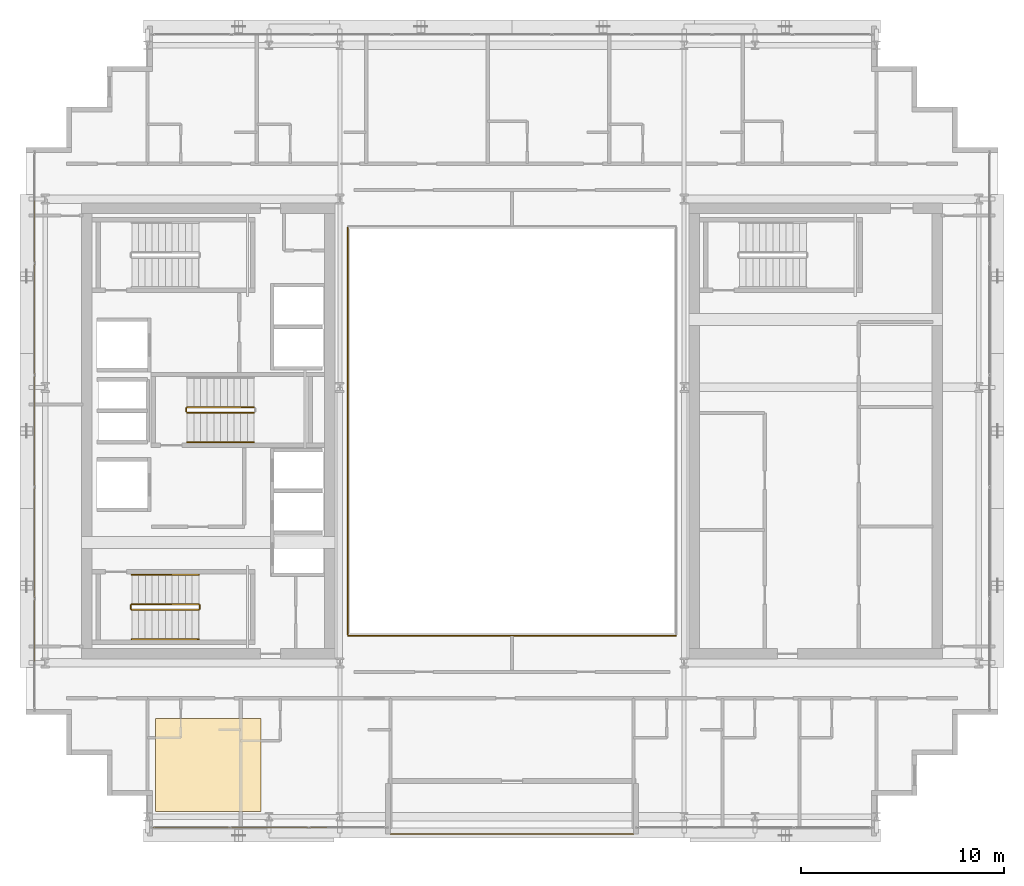
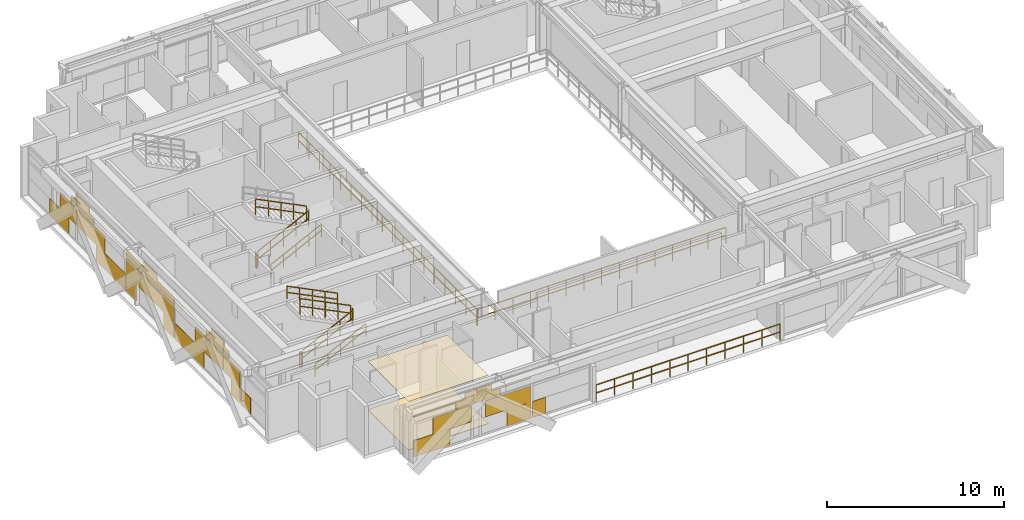
# One storey, part 28 of 31: 13 railings, 4 coverings.
"""IFC4 building model written with IfcOpenShell, lengths in metres."""

from ifc_helpers import new_model, si_unit, direction, frame, origin, origin_2d, place, context, subcontext, project, spatial, polyline, rectangle, outline, extrude, material, layer, layer_set, type_object, element, save


model = new_model("IFC4")

# Units and contexts
model_context = context("Model", 3, precision=1e-05, world=origin(), true_north=direction((0.0, 1.0)))
body_context = subcontext(model_context, "Body", "Model", "MODEL_VIEW")
ifc_project = project(units=[si_unit("LENGTHUNIT", "METRE"), si_unit("AREAUNIT", "SQUARE_METRE"), si_unit("VOLUMEUNIT", "CUBIC_METRE"), si_unit("PLANEANGLEUNIT", "RADIAN"), si_unit("MASSUNIT", "GRAM", prefix="KILO")], contexts=[model_context])

# Site, building, storey
site_placement = place(None, origin())
site = spatial("IfcSite", under=ifc_project, at=site_placement, CompositionType="ELEMENT")
building_placement = place(site_placement, origin())
building = spatial("IfcBuilding", under=site, at=building_placement, Name="Ocotamira Hotel", CompositionType="ELEMENT")
storey_placement = place(building_placement, frame((0.0, 0.0, 210.0)))
storey = spatial("IfcBuildingStorey", under=building, at=storey_placement, Name="L53", CompositionType="ELEMENT", Elevation=210.0)

# Coverings
ifc_material_1 = material(Name="Perforated acoustic gypsum ceiling board", Category="gypsum")
ifc_layer_1 = layer(ifc_material_1, 0.02490234375)
ifc_layer_set_1 = layer_set([ifc_layer_1], Name="Perforated acoustic gypsum ceiling board")
covering_type_1 = type_object("IfcCoveringType", Name="COV-CEIL-25", PredefinedType="CEILING", material=ifc_layer_set_1)
covering_1_placement = place(storey_placement, frame((0.0, 0.0, 3.344970703125)))
element("IfcCovering", 1, at=covering_1_placement, inside=storey, type_object=covering_type_1, Name="L53 Acoustic Ceiling", PredefinedType="CEILING", context=body_context, shape_type="SweptSolid", body=[
    extrude(outline(polyline([(14.39990234375, 7.199951171875), (19.60009765625, 7.199951171875), (19.60009765625, 11.800048828125), (14.39990234375, 11.800048828125), (14.39990234375, 7.199951171875)])), origin(), (0.0, 0.0, 1.0), 0.025146484375),
])
ifc_material_2 = material(Name="Honed desert travertine stone flooring", Category="masonry")
ifc_layer_2 = layer(ifc_material_2, 0.030029296875)
ifc_layer_set_2 = layer_set([ifc_layer_2], Name="Honed desert travertine stone flooring")
covering_type_2 = type_object("IfcCoveringType", Name="COV-FLOR-30", PredefinedType="FLOORING", material=ifc_layer_set_2)
covering_2_placement = place(storey_placement, origin())
element("IfcCovering", 2, at=covering_2_placement, inside=storey, type_object=covering_type_2, Name="L53 Honed Stone Floor Finish", PredefinedType="FLOORING", context=body_context, shape_type="SweptSolid", body=[
    extrude(outline(polyline([(14.39990234375, 7.199951171875), (19.60009765625, 7.199951171875), (19.60009765625, 11.800048828125), (14.39990234375, 11.800048828125), (14.39990234375, 7.199951171875)])), origin(), (0.0, 0.0, 1.0), 0.030029296875),
])
ifc_material_3 = material(Name="Insulated pale-metal aluminium spandrel panel", Category="aluminium")
ifc_layer_3 = layer(ifc_material_3, 0.044921875)
ifc_layer_set_3 = layer_set([ifc_layer_3], Name="Insulated pale-metal aluminium spandrel panel")
covering_type_3 = type_object("IfcCoveringType", Name="COV-INFILL-45", PredefinedType="CLADDING", material=ifc_layer_set_3)
covering_3_placement = place(storey_placement, origin())
element("IfcCovering", 3, at=covering_3_placement, inside=storey, type_object=covering_type_3, Name="L53 Curtain Wall Infill CW-4 CW-L53-S1", PredefinedType="CLADDING", context=body_context, shape_type="SweptSolid", body=[
    extrude(rectangle(XDim=2.37158203125, YDim=0.044921875, at=origin_2d()), frame((15.46630859375, 6.419921875, 0.07568359375), z_axis=(0.0, 0.0, 1.0), x_axis=(1.0, 0.0, 0.0)), (0.0, 0.0, 1.0), 1.117919921875),
    extrude(rectangle(XDim=2.510498046875, YDim=0.044921875, at=origin_2d()), frame((16.78759765625, 6.419921875, 1.1943359375), z_axis=(0.0, 0.0, 1.0), x_axis=(1.0, 0.0, 0.0)), (0.0, 0.0, 1.0), 1.117919921875),
    extrude(rectangle(XDim=3.76220703125, YDim=0.044921875, at=origin_2d()), frame((16.16162109375, 6.419921875, 2.83154296875), z_axis=(0.0, 0.0, 1.0), x_axis=(1.0, 0.0, 0.0)), (0.0, 0.0, 1.0), 0.0302734375),
    extrude(rectangle(XDim=1.018310546875, YDim=0.044921875, at=origin_2d()), frame((17.53369140625, 6.419921875, 2.38818359375), z_axis=(0.0, 0.0, 1.0), x_axis=(1.0, 0.0, 0.0)), (0.0, 0.0, 1.0), 0.442626953125),
    extrude(rectangle(XDim=0.4248046875, YDim=0.044921875, at=origin_2d()), frame((17.83056640625, 6.419921875, 2.86279296875), z_axis=(0.0, 0.0, 1.0), x_axis=(1.0, 0.0, 0.0)), (0.0, 0.0, 1.0), 0.431640625),
    extrude(rectangle(XDim=2.9765625, YDim=0.044921875, at=origin_2d()), frame((20.43798828125, 6.419921875, 1.1943359375), z_axis=(0.0, 0.0, 1.0), x_axis=(1.0, 0.0, 0.0)), (0.0, 0.0, 1.0), 1.117919921875),
    extrude(rectangle(XDim=1.578125, YDim=0.044921875, at=origin_2d()), frame((21.13720703125, 6.419921875, 0.07568359375), z_axis=(0.0, 0.0, 1.0), x_axis=(1.0, 0.0, 0.0)), (0.0, 0.0, 1.0), 1.117919921875),
    extrude(rectangle(XDim=1.8515625, YDim=0.044921875, at=origin_2d()), frame((19.049560546875, 6.419921875, 2.38818359375), z_axis=(0.0, 0.0, 1.0), x_axis=(1.0, 0.0, 0.0)), (0.0, 0.0, 1.0), 0.442626953125),
    extrude(rectangle(XDim=3.80224609375, YDim=0.044921875, at=origin_2d()), frame((20.02490234375, 6.419921875, 2.83154296875), z_axis=(0.0, 0.0, 1.0), x_axis=(1.0, 0.0, 0.0)), (0.0, 0.0, 1.0), 0.0302734375),
    extrude(rectangle(XDim=1.258056640625, YDim=0.044921875, at=origin_2d()), frame((18.7529296875, 6.419921875, 2.86279296875), z_axis=(0.0, 0.0, 1.0), x_axis=(1.0, 0.0, 0.0)), (0.0, 0.0, 1.0), 0.431640625),
    extrude(rectangle(XDim=0.85888671875, YDim=0.044921875, at=origin_2d()), frame((22.4365234375, 6.419921875, 0.07568359375), z_axis=(0.0, 0.0, 1.0), x_axis=(1.0, 0.0, 0.0)), (0.0, 0.0, 1.0), 1.117919921875),
])
covering_4_placement = place(storey_placement, origin())
element("IfcCovering", 4, at=covering_4_placement, inside=storey, type_object=covering_type_3, Name="L53 Curtain Wall Infill CW-4 CW-L53-W", PredefinedType="CLADDING", context=body_context, shape_type="SweptSolid", body=[
    extrude(rectangle(XDim=2.205078125, YDim=0.044921875, at=origin_2d()), frame((8.419921875, 15.7314453125, 0.07568359375), z_axis=(0.0, 0.0, 1.0), x_axis=(0.0, 1.0, 0.0)), (0.0, 0.0, 1.0), 1.117919921875),
    extrude(rectangle(XDim=1.864501953125, YDim=0.044921875, at=origin_2d()), frame((8.419921875, 16.747314453125, 1.1943359375), z_axis=(0.0, 0.0, 1.0), x_axis=(0.0, 1.0, 0.0)), (0.0, 0.0, 1.0), 1.117919921875),
    extrude(rectangle(XDim=0.59912109375, YDim=0.044921875, at=origin_2d()), frame((8.419921875, 17.3798828125, 2.38818359375), z_axis=(0.0, 0.0, 1.0), x_axis=(0.0, 1.0, 0.0)), (0.0, 0.0, 1.0), 0.493896484375),
    extrude(rectangle(XDim=0.07421875, YDim=0.044921875, at=origin_2d()), frame((8.419921875, 17.642333984375, 2.883056640625), z_axis=(0.0, 0.0, 1.0), x_axis=(0.0, 1.0, 0.0)), (0.0, 0.0, 1.0), 0.41162109375),
    extrude(rectangle(XDim=3.157958984375, YDim=0.044921875, at=origin_2d()), frame((8.419921875, 19.33935546875, 1.1943359375), z_axis=(0.0, 0.0, 1.0), x_axis=(0.0, 1.0, 0.0)), (0.0, 0.0, 1.0), 1.117919921875),
    extrude(rectangle(XDim=3.30029296875, YDim=0.044921875, at=origin_2d()), frame((8.419921875, 21.54931640625, 0.07568359375), z_axis=(0.0, 0.0, 1.0), x_axis=(0.0, 1.0, 0.0)), (0.0, 0.0, 1.0), 1.117919921875),
    extrude(rectangle(XDim=1.892333984375, YDim=0.044921875, at=origin_2d()), frame((8.419921875, 18.70654296875, 2.38818359375), z_axis=(0.0, 0.0, 1.0), x_axis=(0.0, 1.0, 0.0)), (0.0, 0.0, 1.0), 0.459716796875),
    extrude(rectangle(XDim=5.43896484375, YDim=0.044921875, at=origin_2d()), frame((8.419921875, 20.47998046875, 2.848876953125), z_axis=(0.0, 0.0, 1.0), x_axis=(0.0, 1.0, 0.0)), (0.0, 0.0, 1.0), 0.033203125),
    extrude(rectangle(XDim=1.367431640625, YDim=0.044921875, at=origin_2d()), frame((8.419921875, 18.444091796875, 2.883056640625), z_axis=(0.0, 0.0, 1.0), x_axis=(0.0, 1.0, 0.0)), (0.0, 0.0, 1.0), 0.41162109375),
    extrude(rectangle(XDim=1.18701171875, YDim=0.044921875, at=origin_2d()), frame((8.419921875, 23.873779296875, 0.07568359375), z_axis=(0.0, 0.0, 1.0), x_axis=(0.0, 1.0, 0.0)), (0.0, 0.0, 1.0), 1.117919921875),
    extrude(rectangle(XDim=5.43896484375, YDim=0.044921875, at=origin_2d()), frame((8.419921875, 26.0, 1.1943359375), z_axis=(0.0, 0.0, 1.0), x_axis=(0.0, 1.0, 0.0)), (0.0, 0.0, 1.0), 1.117919921875),
    extrude(rectangle(XDim=1.18701171875, YDim=0.044921875, at=origin_2d()), frame((8.419921875, 28.126220703125, 0.07568359375), z_axis=(0.0, 0.0, 1.0), x_axis=(0.0, 1.0, 0.0)), (0.0, 0.0, 1.0), 1.117919921875),
    extrude(rectangle(XDim=5.43896484375, YDim=0.044921875, at=origin_2d()), frame((8.419921875, 26.0, 2.38818359375), z_axis=(0.0, 0.0, 1.0), x_axis=(0.0, 1.0, 0.0)), (0.0, 0.0, 1.0), 0.493896484375),
    extrude(rectangle(XDim=1.522705078125, YDim=0.044921875, at=origin_2d()), frame((8.419921875, 26.0, 2.883056640625), z_axis=(0.0, 0.0, 1.0), x_axis=(0.0, 1.0, 0.0)), (0.0, 0.0, 1.0), 0.41162109375),
    extrude(rectangle(XDim=3.30029296875, YDim=0.044921875, at=origin_2d()), frame((8.419921875, 30.45068359375, 0.07568359375), z_axis=(0.0, 0.0, 1.0), x_axis=(0.0, 1.0, 0.0)), (0.0, 0.0, 1.0), 1.117919921875),
    extrude(rectangle(XDim=3.157958984375, YDim=0.044921875, at=origin_2d()), frame((8.419921875, 32.66064453125, 1.1943359375), z_axis=(0.0, 0.0, 1.0), x_axis=(0.0, 1.0, 0.0)), (0.0, 0.0, 1.0), 1.117919921875),
    extrude(rectangle(XDim=5.43896484375, YDim=0.044921875, at=origin_2d()), frame((8.419921875, 31.52001953125, 2.848876953125), z_axis=(0.0, 0.0, 1.0), x_axis=(0.0, 1.0, 0.0)), (0.0, 0.0, 1.0), 0.033203125),
    extrude(rectangle(XDim=1.892333984375, YDim=0.044921875, at=origin_2d()), frame((8.419921875, 33.29345703125, 2.38818359375), z_axis=(0.0, 0.0, 1.0), x_axis=(0.0, 1.0, 0.0)), (0.0, 0.0, 1.0), 0.459716796875),
    extrude(rectangle(XDim=1.367431640625, YDim=0.044921875, at=origin_2d()), frame((8.419921875, 33.555908203125, 2.883056640625), z_axis=(0.0, 0.0, 1.0), x_axis=(0.0, 1.0, 0.0)), (0.0, 0.0, 1.0), 0.41162109375),
    extrude(rectangle(XDim=1.864501953125, YDim=0.044921875, at=origin_2d()), frame((8.419921875, 35.252685546875, 1.1943359375), z_axis=(0.0, 0.0, 1.0), x_axis=(0.0, 1.0, 0.0)), (0.0, 0.0, 1.0), 1.117919921875),
    extrude(rectangle(XDim=2.205078125, YDim=0.044921875, at=origin_2d()), frame((8.419921875, 36.2685546875, 0.07568359375), z_axis=(0.0, 0.0, 1.0), x_axis=(0.0, 1.0, 0.0)), (0.0, 0.0, 1.0), 1.117919921875),
    extrude(rectangle(XDim=0.59912109375, YDim=0.044921875, at=origin_2d()), frame((8.419921875, 34.6201171875, 2.38818359375), z_axis=(0.0, 0.0, 1.0), x_axis=(0.0, 1.0, 0.0)), (0.0, 0.0, 1.0), 0.493896484375),
    extrude(rectangle(XDim=0.07421875, YDim=0.044921875, at=origin_2d()), frame((8.419921875, 34.357666015625, 2.883056640625), z_axis=(0.0, 0.0, 1.0), x_axis=(0.0, 1.0, 0.0)), (0.0, 0.0, 1.0), 0.41162109375),
])

# Railings
ifc_material_4 = material(Name="Laminated glass and pale-metal balustrade", Category="glass")
railing_type_1 = type_object("IfcRailingType", Name="RL-BAL-1150", PredefinedType="BALUSTRADE", material=ifc_material_4)
railing_1_placement = place(storey_placement, frame((26.0, 6.10009765625, 0.0)))
element("IfcRailing", 5, at=railing_1_placement, inside=storey, type_object=railing_type_1, Name="L53 Sky Terrace Balustrade 1", PredefinedType="BALUSTRADE", context=body_context, shape_type="SweptSolid", body=[
    extrude(rectangle(XDim=0.048095703125, YDim=0.048095703125, at=origin_2d()), frame((0.0, 0.0, 1.1259765625), z_axis=(1.0, 0.0, 0.0), x_axis=(0.0, 1.0, 0.0)), (0.0, 0.0, 1.0), 12.0),
    extrude(rectangle(XDim=0.048095703125, YDim=0.048095703125, at=origin_2d()), frame((0.0, 0.0, 0.574951171875), z_axis=(1.0, 0.0, 0.0), x_axis=(0.0, 1.0, 0.0)), (0.0, 0.0, 1.0), 12.0),
    extrude(rectangle(XDim=0.0419921875, YDim=0.0419921875, at=origin_2d()), origin(), (0.0, 0.0, 1.0), 1.101806640625),
    extrude(rectangle(XDim=0.0419921875, YDim=0.0419921875, at=origin_2d()), frame((1.199951171875, 0.0, 0.0)), (0.0, 0.0, 1.0), 1.101806640625),
    extrude(rectangle(XDim=0.0419921875, YDim=0.0419921875, at=origin_2d()), frame((2.39990234375, 0.0, 0.0)), (0.0, 0.0, 1.0), 1.101806640625),
    extrude(rectangle(XDim=0.0419921875, YDim=0.0419921875, at=origin_2d()), frame((3.60009765625, 0.0, 0.0)), (0.0, 0.0, 1.0), 1.101806640625),
    extrude(rectangle(XDim=0.0419921875, YDim=0.0419921875, at=origin_2d()), frame((4.800048828125, 0.0, 0.0)), (0.0, 0.0, 1.0), 1.101806640625),
    extrude(rectangle(XDim=0.0419921875, YDim=0.0419921875, at=origin_2d()), frame((6.0, 0.0, 0.0)), (0.0, 0.0, 1.0), 1.101806640625),
    extrude(rectangle(XDim=0.0419921875, YDim=0.0419921875, at=origin_2d()), frame((7.199951171875, 0.0, 0.0)), (0.0, 0.0, 1.0), 1.101806640625),
    extrude(rectangle(XDim=0.0419921875, YDim=0.0419921875, at=origin_2d()), frame((8.39990234375, 0.0, 0.0)), (0.0, 0.0, 1.0), 1.101806640625),
    extrude(rectangle(XDim=0.0419921875, YDim=0.0419921875, at=origin_2d()), frame((9.60009765625, 0.0, 0.0)), (0.0, 0.0, 1.0), 1.101806640625),
    extrude(rectangle(XDim=0.0419921875, YDim=0.0419921875, at=origin_2d()), frame((10.800048828125, 0.0, 0.0)), (0.0, 0.0, 1.0), 1.101806640625),
    extrude(rectangle(XDim=0.0419921875, YDim=0.0419921875, at=origin_2d()), frame((12.0, 0.0, 0.0)), (0.0, 0.0, 1.0), 1.101806640625),
])
ifc_material_5 = material(Name="Painted steel stair guardrail", Category="steel")
railing_type_2 = type_object("IfcRailingType", Name="RL-EDGE-1150", PredefinedType="GUARDRAIL", material=ifc_material_5)
railing_2_placement = place(storey_placement, frame((23.89990234375, 15.8798828125, 0.0)))
element("IfcRailing", 6, at=railing_2_placement, inside=storey, type_object=railing_type_2, Name="L53 Central Atrium Edge Guardrail S", PredefinedType="GUARDRAIL", context=body_context, shape_type="SweptSolid", body=[
    extrude(rectangle(XDim=0.048095703125, YDim=0.048095703125, at=origin_2d()), frame((0.0, 0.0, 1.1259765625), z_axis=(1.0, 0.0, 0.0), x_axis=(0.0, 1.0, 0.0)), (0.0, 0.0, 1.0), 16.2001953125),
    extrude(rectangle(XDim=0.048095703125, YDim=0.048095703125, at=origin_2d()), frame((0.0, 0.0, 0.574951171875), z_axis=(1.0, 0.0, 0.0), x_axis=(0.0, 1.0, 0.0)), (0.0, 0.0, 1.0), 16.2001953125),
    extrude(rectangle(XDim=0.0419921875, YDim=0.0419921875, at=origin_2d()), origin(), (0.0, 0.0, 1.0), 1.101806640625),
    extrude(rectangle(XDim=0.0419921875, YDim=0.0419921875, at=origin_2d()), frame((1.1572265625, 0.0, 0.0)), (0.0, 0.0, 1.0), 1.101806640625),
    extrude(rectangle(XDim=0.0419921875, YDim=0.0419921875, at=origin_2d()), frame((2.314208984375, 0.0, 0.0)), (0.0, 0.0, 1.0), 1.101806640625),
    extrude(rectangle(XDim=0.0419921875, YDim=0.0419921875, at=origin_2d()), frame((3.471435546875, 0.0, 0.0)), (0.0, 0.0, 1.0), 1.101806640625),
    extrude(rectangle(XDim=0.0419921875, YDim=0.0419921875, at=origin_2d()), frame((4.628662109375, 0.0, 0.0)), (0.0, 0.0, 1.0), 1.101806640625),
    extrude(rectangle(XDim=0.0419921875, YDim=0.0419921875, at=origin_2d()), frame((5.785888671875, 0.0, 0.0)), (0.0, 0.0, 1.0), 1.101806640625),
    extrude(rectangle(XDim=0.0419921875, YDim=0.0419921875, at=origin_2d()), frame((6.94287109375, 0.0, 0.0)), (0.0, 0.0, 1.0), 1.101806640625),
    extrude(rectangle(XDim=0.0419921875, YDim=0.0419921875, at=origin_2d()), frame((8.10009765625, 0.0, 0.0)), (0.0, 0.0, 1.0), 1.101806640625),
    extrude(rectangle(XDim=0.0419921875, YDim=0.0419921875, at=origin_2d()), frame((9.25732421875, 0.0, 0.0)), (0.0, 0.0, 1.0), 1.101806640625),
    extrude(rectangle(XDim=0.0419921875, YDim=0.0419921875, at=origin_2d()), frame((10.414306640625, 0.0, 0.0)), (0.0, 0.0, 1.0), 1.101806640625),
    extrude(rectangle(XDim=0.0419921875, YDim=0.0419921875, at=origin_2d()), frame((11.571533203125, 0.0, 0.0)), (0.0, 0.0, 1.0), 1.101806640625),
    extrude(rectangle(XDim=0.0419921875, YDim=0.0419921875, at=origin_2d()), frame((12.728759765625, 0.0, 0.0)), (0.0, 0.0, 1.0), 1.101806640625),
    extrude(rectangle(XDim=0.0419921875, YDim=0.0419921875, at=origin_2d()), frame((13.885986328125, 0.0, 0.0)), (0.0, 0.0, 1.0), 1.101806640625),
    extrude(rectangle(XDim=0.0419921875, YDim=0.0419921875, at=origin_2d()), frame((15.04296875, 0.0, 0.0)), (0.0, 0.0, 1.0), 1.101806640625),
    extrude(rectangle(XDim=0.0419921875, YDim=0.0419921875, at=origin_2d()), frame((16.2001953125, 0.0, 0.0)), (0.0, 0.0, 1.0), 1.101806640625),
])
railing_3_placement = place(storey_placement, frame((23.8798828125, 36.0400390625, 0.0)))
element("IfcRailing", 7, at=railing_3_placement, inside=storey, type_object=railing_type_2, Name="L53 Central Atrium Edge Guardrail W", PredefinedType="GUARDRAIL", context=body_context, shape_type="SweptSolid", body=[
    extrude(rectangle(XDim=0.048095703125, YDim=0.048095703125, at=origin_2d()), frame((0.0, 0.0, 1.1259765625), z_axis=(0.0, -1.0, 0.0), x_axis=(1.0, 0.0, 0.0)), (0.0, 0.0, 1.0), 20.080078125),
    extrude(rectangle(XDim=0.048095703125, YDim=0.048095703125, at=origin_2d()), frame((0.0, 0.0, 0.574951171875), z_axis=(0.0, -1.0, 0.0), x_axis=(1.0, 0.0, 0.0)), (0.0, 0.0, 1.0), 20.080078125),
    extrude(rectangle(XDim=0.0419921875, YDim=0.0419921875, at=origin_2d()), origin(), (0.0, 0.0, 1.0), 1.101806640625),
    extrude(rectangle(XDim=0.0419921875, YDim=0.0419921875, at=origin_2d()), frame((0.0, -1.18115234375, 0.0)), (0.0, 0.0, 1.0), 1.101806640625),
    extrude(rectangle(XDim=0.0419921875, YDim=0.0419921875, at=origin_2d()), frame((0.0, -2.3623046875, 0.0)), (0.0, 0.0, 1.0), 1.101806640625),
    extrude(rectangle(XDim=0.0419921875, YDim=0.0419921875, at=origin_2d()), frame((0.0, -3.54345703125, 0.0)), (0.0, 0.0, 1.0), 1.101806640625),
    extrude(rectangle(XDim=0.0419921875, YDim=0.0419921875, at=origin_2d()), frame((0.0, -4.724609375, 0.0)), (0.0, 0.0, 1.0), 1.101806640625),
    extrude(rectangle(XDim=0.0419921875, YDim=0.0419921875, at=origin_2d()), frame((0.0, -5.906005859375, 0.0)), (0.0, 0.0, 1.0), 1.101806640625),
    extrude(rectangle(XDim=0.0419921875, YDim=0.0419921875, at=origin_2d()), frame((0.0, -7.087158203125, 0.0)), (0.0, 0.0, 1.0), 1.101806640625),
    extrude(rectangle(XDim=0.0419921875, YDim=0.0419921875, at=origin_2d()), frame((0.0, -8.268310546875, 0.0)), (0.0, 0.0, 1.0), 1.101806640625),
    extrude(rectangle(XDim=0.0419921875, YDim=0.0419921875, at=origin_2d()), frame((0.0, -9.449462890625, 0.0)), (0.0, 0.0, 1.0), 1.101806640625),
    extrude(rectangle(XDim=0.0419921875, YDim=0.0419921875, at=origin_2d()), frame((0.0, -10.630615234375, 0.0)), (0.0, 0.0, 1.0), 1.101806640625),
    extrude(rectangle(XDim=0.0419921875, YDim=0.0419921875, at=origin_2d()), frame((0.0, -11.811767578125, 0.0)), (0.0, 0.0, 1.0), 1.101806640625),
    extrude(rectangle(XDim=0.0419921875, YDim=0.0419921875, at=origin_2d()), frame((0.0, -12.992919921875, 0.0)), (0.0, 0.0, 1.0), 1.101806640625),
    extrude(rectangle(XDim=0.0419921875, YDim=0.0419921875, at=origin_2d()), frame((0.0, -14.174072265625, 0.0)), (0.0, 0.0, 1.0), 1.101806640625),
    extrude(rectangle(XDim=0.0419921875, YDim=0.0419921875, at=origin_2d()), frame((0.0, -15.35546875, 0.0)), (0.0, 0.0, 1.0), 1.101806640625),
    extrude(rectangle(XDim=0.0419921875, YDim=0.0419921875, at=origin_2d()), frame((0.0, -16.53662109375, 0.0)), (0.0, 0.0, 1.0), 1.101806640625),
    extrude(rectangle(XDim=0.0419921875, YDim=0.0419921875, at=origin_2d()), frame((0.0, -17.7177734375, 0.0)), (0.0, 0.0, 1.0), 1.101806640625),
    extrude(rectangle(XDim=0.0419921875, YDim=0.0419921875, at=origin_2d()), frame((0.0, -18.89892578125, 0.0)), (0.0, 0.0, 1.0), 1.101806640625),
    extrude(rectangle(XDim=0.0419921875, YDim=0.0419921875, at=origin_2d()), frame((0.0, -20.080078125, 0.0)), (0.0, 0.0, 1.0), 1.101806640625),
])
ifc_material_6 = material(Name="Brushed stainless steel handrail", Category="steel")
railing_type_3 = type_object("IfcRailingType", Name="RL-HAND-900", PredefinedType="HANDRAIL", material=ifc_material_6)
railing_4_placement = place(storey_placement, frame((13.22998046875, 15.719970703125, 0.327392578125)))
element("IfcRailing", 8, at=railing_4_placement, inside=storey, type_object=railing_type_3, Name="L53 ST-1 stair handrail 1", PredefinedType="HANDRAIL", context=body_context, shape_type="SweptSolid", body=[
    extrude(rectangle(XDim=0.048095703125, YDim=0.048095703125, at=origin_2d()), frame((0.0, 0.0, 0.8759765625), z_axis=(0.895920123917, 0.0, 0.444215186098), x_axis=(0.0, 1.0, 0.0)), (0.0, 0.0, 1.0), 3.683349609375),
    extrude(rectangle(XDim=0.048095703125, YDim=0.048095703125, at=origin_2d()), frame((0.0, 0.0, 0.449951171875), z_axis=(0.895920123917, 0.0, 0.444215186098), x_axis=(0.0, 1.0, 0.0)), (0.0, 0.0, 1.0), 3.683349609375),
    extrude(rectangle(XDim=0.0419921875, YDim=0.0419921875, at=origin_2d()), origin(), (0.0, 0.0, 1.0), 0.851806640625),
    extrude(rectangle(XDim=0.0419921875, YDim=0.0419921875, at=origin_2d()), frame((0.824951171875, 0.0, 0.4091796875)), (0.0, 0.0, 1.0), 0.851806640625),
    extrude(rectangle(XDim=0.0419921875, YDim=0.0419921875, at=origin_2d()), frame((1.64990234375, 0.0, 0.818115234375)), (0.0, 0.0, 1.0), 0.851806640625),
    extrude(rectangle(XDim=0.0419921875, YDim=0.0419921875, at=origin_2d()), frame((2.47509765625, 0.0, 1.22705078125)), (0.0, 0.0, 1.0), 0.851806640625),
    extrude(rectangle(XDim=0.0419921875, YDim=0.0419921875, at=origin_2d()), frame((3.300048828125, 0.0, 1.63623046875)), (0.0, 0.0, 1.0), 0.851806640625),
])
railing_5_placement = place(storey_placement, frame((16.530029296875, 18.89990234375, 2.127197265625)))
element("IfcRailing", 9, at=railing_5_placement, inside=storey, type_object=railing_type_3, Name="L53 ST-1 stair handrail 2", PredefinedType="HANDRAIL", context=body_context, shape_type="SweptSolid", body=[
    extrude(rectangle(XDim=0.048095703125, YDim=0.048095703125, at=origin_2d()), frame((0.0, 0.0, 0.8759765625), z_axis=(-0.895893744519, 0.0, 0.4442683857), x_axis=(0.0, -1.0, 0.0)), (0.0, 0.0, 1.0), 3.68359375),
    extrude(rectangle(XDim=0.048095703125, YDim=0.048095703125, at=origin_2d()), frame((0.0, 0.0, 0.449951171875), z_axis=(-0.895893744519, 0.0, 0.4442683857), x_axis=(0.0, -1.0, 0.0)), (0.0, 0.0, 1.0), 3.68359375),
    extrude(rectangle(XDim=0.0419921875, YDim=0.0419921875, at=origin_2d()), origin(), (0.0, 0.0, 1.0), 0.851806640625),
    extrude(rectangle(XDim=0.0419921875, YDim=0.0419921875, at=origin_2d()), frame((-0.824951171875, 0.0, 0.4091796875)), (0.0, 0.0, 1.0), 0.851806640625),
    extrude(rectangle(XDim=0.0419921875, YDim=0.0419921875, at=origin_2d()), frame((-1.64990234375, 0.0, 0.818359375)), (0.0, 0.0, 1.0), 0.851806640625),
    extrude(rectangle(XDim=0.0419921875, YDim=0.0419921875, at=origin_2d()), frame((-2.47509765625, 0.0, 1.227294921875)), (0.0, 0.0, 1.0), 0.851806640625),
    extrude(rectangle(XDim=0.0419921875, YDim=0.0419921875, at=origin_2d()), frame((-3.300048828125, 0.0, 1.636474609375)), (0.0, 0.0, 1.0), 0.851806640625),
])
railing_6_placement = place(storey_placement, frame((15.9599609375, 25.449951171875, 0.327392578125)))
element("IfcRailing", 10, at=railing_6_placement, inside=storey, type_object=railing_type_3, Name="L53 ST-3 stair handrail 1", PredefinedType="HANDRAIL", context=body_context, shape_type="SweptSolid", body=[
    extrude(rectangle(XDim=0.048095703125, YDim=0.048095703125, at=origin_2d()), frame((0.0, 0.0, 0.8759765625), z_axis=(0.895920123917, 0.0, 0.444215186098), x_axis=(0.0, 1.0, 0.0)), (0.0, 0.0, 1.0), 3.683349609375),
    extrude(rectangle(XDim=0.048095703125, YDim=0.048095703125, at=origin_2d()), frame((0.0, 0.0, 0.449951171875), z_axis=(0.895920123917, 0.0, 0.444215186098), x_axis=(0.0, 1.0, 0.0)), (0.0, 0.0, 1.0), 3.683349609375),
    extrude(rectangle(XDim=0.0419921875, YDim=0.0419921875, at=origin_2d()), origin(), (0.0, 0.0, 1.0), 0.851806640625),
    extrude(rectangle(XDim=0.0419921875, YDim=0.0419921875, at=origin_2d()), frame((0.824951171875, 0.0, 0.4091796875)), (0.0, 0.0, 1.0), 0.851806640625),
    extrude(rectangle(XDim=0.0419921875, YDim=0.0419921875, at=origin_2d()), frame((1.64990234375, 0.0, 0.818115234375)), (0.0, 0.0, 1.0), 0.851806640625),
    extrude(rectangle(XDim=0.0419921875, YDim=0.0419921875, at=origin_2d()), frame((2.47509765625, 0.0, 1.22705078125)), (0.0, 0.0, 1.0), 0.851806640625),
    extrude(rectangle(XDim=0.0419921875, YDim=0.0419921875, at=origin_2d()), frame((3.300048828125, 0.0, 1.63623046875)), (0.0, 0.0, 1.0), 0.851806640625),
])
railing_type_4 = type_object("IfcRailingType", Name="RL-STAIR-1100", PredefinedType="GUARDRAIL", material=ifc_material_5)
railing_7_placement = place(storey_placement, frame((13.22998046875, 17.179931640625, 0.16357421875)))
element("IfcRailing", 11, at=railing_7_placement, inside=storey, type_object=railing_type_4, Name="L53 ST-1 stair guard 1", PredefinedType="GUARDRAIL", context=body_context, shape_type="SweptSolid", body=[
    extrude(rectangle(XDim=0.048095703125, YDim=0.048095703125, at=origin_2d()), frame((0.0, 0.0, 1.076171875), z_axis=(0.895893744519, 0.0, 0.4442683857), x_axis=(0.0, 1.0, 0.0)), (0.0, 0.0, 1.0), 3.68359375),
    extrude(rectangle(XDim=0.048095703125, YDim=0.048095703125, at=origin_2d()), frame((0.0, 0.0, 0.550048828125), z_axis=(0.895893744519, 0.0, 0.4442683857), x_axis=(0.0, 1.0, 0.0)), (0.0, 0.0, 1.0), 3.68359375),
    extrude(rectangle(XDim=0.0419921875, YDim=0.0419921875, at=origin_2d()), origin(), (0.0, 0.0, 1.0), 1.052001953125),
    extrude(rectangle(XDim=0.0419921875, YDim=0.0419921875, at=origin_2d()), frame((0.824951171875, 0.0, 0.4091796875)), (0.0, 0.0, 1.0), 1.052001953125),
    extrude(rectangle(XDim=0.0419921875, YDim=0.0419921875, at=origin_2d()), frame((1.64990234375, 0.0, 0.818359375)), (0.0, 0.0, 1.0), 1.052001953125),
    extrude(rectangle(XDim=0.0419921875, YDim=0.0419921875, at=origin_2d()), frame((2.47509765625, 0.0, 1.227294921875)), (0.0, 0.0, 1.0), 1.052001953125),
    extrude(rectangle(XDim=0.0419921875, YDim=0.0419921875, at=origin_2d()), frame((3.300048828125, 0.0, 1.636474609375)), (0.0, 0.0, 1.0), 1.052001953125),
])
railing_8_placement = place(storey_placement, frame((16.580078125, 17.22998046875, 1.800048828125)))
element("IfcRailing", 12, at=railing_8_placement, inside=storey, type_object=railing_type_4, Name="L53 ST-1 stair guard 2", PredefinedType="GUARDRAIL", context=body_context, shape_type="SweptSolid", body=[
    extrude(rectangle(XDim=0.048095703125, YDim=0.048095703125, at=origin_2d()), frame((0.0, 0.0, 1.076171875), z_axis=(0.0, 1.0, 0.0), x_axis=(-1.0, 0.0, 0.0)), (0.0, 0.0, 1.0), 0.159912109375),
    extrude(rectangle(XDim=0.048095703125, YDim=0.048095703125, at=origin_2d()), frame((0.0, 0.0, 0.550048828125), z_axis=(0.0, 1.0, 0.0), x_axis=(-1.0, 0.0, 0.0)), (0.0, 0.0, 1.0), 0.159912109375),
    extrude(rectangle(XDim=0.0419921875, YDim=0.0419921875, at=origin_2d()), origin(), (0.0, 0.0, 1.0), 1.052001953125),
    extrude(rectangle(XDim=0.0419921875, YDim=0.0419921875, at=origin_2d()), frame((0.0, 0.159912109375, 0.0)), (0.0, 0.0, 1.0), 1.052001953125),
])
railing_9_placement = place(storey_placement, frame((16.530029296875, 17.43994140625, 1.963623046875)))
element("IfcRailing", 13, at=railing_9_placement, inside=storey, type_object=railing_type_4, Name="L53 ST-1 stair guard 3", PredefinedType="GUARDRAIL", context=body_context, shape_type="SweptSolid", body=[
    extrude(rectangle(XDim=0.048095703125, YDim=0.048095703125, at=origin_2d()), frame((0.0, 0.0, 1.076171875), z_axis=(-0.895893744519, 0.0, 0.4442683857), x_axis=(0.0, -1.0, 0.0)), (0.0, 0.0, 1.0), 3.68359375),
    extrude(rectangle(XDim=0.048095703125, YDim=0.048095703125, at=origin_2d()), frame((0.0, 0.0, 0.550048828125), z_axis=(-0.895893744519, 0.0, 0.4442683857), x_axis=(0.0, -1.0, 0.0)), (0.0, 0.0, 1.0), 3.68359375),
    extrude(rectangle(XDim=0.0419921875, YDim=0.0419921875, at=origin_2d()), origin(), (0.0, 0.0, 1.0), 1.052001953125),
    extrude(rectangle(XDim=0.0419921875, YDim=0.0419921875, at=origin_2d()), frame((-0.824951171875, 0.0, 0.4091796875)), (0.0, 0.0, 1.0), 1.052001953125),
    extrude(rectangle(XDim=0.0419921875, YDim=0.0419921875, at=origin_2d()), frame((-1.64990234375, 0.0, 0.818359375)), (0.0, 0.0, 1.0), 1.052001953125),
    extrude(rectangle(XDim=0.0419921875, YDim=0.0419921875, at=origin_2d()), frame((-2.47509765625, 0.0, 1.227294921875)), (0.0, 0.0, 1.0), 1.052001953125),
    extrude(rectangle(XDim=0.0419921875, YDim=0.0419921875, at=origin_2d()), frame((-3.300048828125, 0.0, 1.636474609375)), (0.0, 0.0, 1.0), 1.052001953125),
])
railing_10_placement = place(storey_placement, frame((13.179931640625, 17.22998046875, 0.0)))
element("IfcRailing", 14, at=railing_10_placement, inside=storey, type_object=railing_type_4, Name="L53 ST-1 stair guard 4", PredefinedType="GUARDRAIL", context=body_context, shape_type="SweptSolid", body=[
    extrude(rectangle(XDim=0.048095703125, YDim=0.048095703125, at=origin_2d()), frame((0.0, 0.0, 1.076171875), z_axis=(0.0, 1.0, 0.0), x_axis=(-1.0, 0.0, 0.0)), (0.0, 0.0, 1.0), 0.159912109375),
    extrude(rectangle(XDim=0.048095703125, YDim=0.048095703125, at=origin_2d()), frame((0.0, 0.0, 0.550048828125), z_axis=(0.0, 1.0, 0.0), x_axis=(-1.0, 0.0, 0.0)), (0.0, 0.0, 1.0), 0.159912109375),
    extrude(rectangle(XDim=0.0419921875, YDim=0.0419921875, at=origin_2d()), origin(), (0.0, 0.0, 1.0), 1.052001953125),
    extrude(rectangle(XDim=0.0419921875, YDim=0.0419921875, at=origin_2d()), frame((0.0, 0.159912109375, 0.0)), (0.0, 0.0, 1.0), 1.052001953125),
])
railing_11_placement = place(storey_placement, frame((15.9599609375, 26.909912109375, 0.16357421875)))
element("IfcRailing", 15, at=railing_11_placement, inside=storey, type_object=railing_type_4, Name="L53 ST-3 stair guard 1", PredefinedType="GUARDRAIL", context=body_context, shape_type="SweptSolid", body=[
    extrude(rectangle(XDim=0.048095703125, YDim=0.048095703125, at=origin_2d()), frame((0.0, 0.0, 1.076171875), z_axis=(0.895893744519, 0.0, 0.4442683857), x_axis=(0.0, 1.0, 0.0)), (0.0, 0.0, 1.0), 3.68359375),
    extrude(rectangle(XDim=0.048095703125, YDim=0.048095703125, at=origin_2d()), frame((0.0, 0.0, 0.550048828125), z_axis=(0.895893744519, 0.0, 0.4442683857), x_axis=(0.0, 1.0, 0.0)), (0.0, 0.0, 1.0), 3.68359375),
    extrude(rectangle(XDim=0.0419921875, YDim=0.0419921875, at=origin_2d()), origin(), (0.0, 0.0, 1.0), 1.052001953125),
    extrude(rectangle(XDim=0.0419921875, YDim=0.0419921875, at=origin_2d()), frame((0.824951171875, 0.0, 0.4091796875)), (0.0, 0.0, 1.0), 1.052001953125),
    extrude(rectangle(XDim=0.0419921875, YDim=0.0419921875, at=origin_2d()), frame((1.64990234375, 0.0, 0.818359375)), (0.0, 0.0, 1.0), 1.052001953125),
    extrude(rectangle(XDim=0.0419921875, YDim=0.0419921875, at=origin_2d()), frame((2.47509765625, 0.0, 1.227294921875)), (0.0, 0.0, 1.0), 1.052001953125),
    extrude(rectangle(XDim=0.0419921875, YDim=0.0419921875, at=origin_2d()), frame((3.300048828125, 0.0, 1.636474609375)), (0.0, 0.0, 1.0), 1.052001953125),
])
railing_12_placement = place(storey_placement, frame((19.260009765625, 27.169921875, 1.963623046875)))
element("IfcRailing", 16, at=railing_12_placement, inside=storey, type_object=railing_type_4, Name="L53 ST-3 stair guard 3", PredefinedType="GUARDRAIL", context=body_context, shape_type="SweptSolid", body=[
    extrude(rectangle(XDim=0.048095703125, YDim=0.048095703125, at=origin_2d()), frame((0.0, 0.0, 1.076171875), z_axis=(-0.895893744519, 0.0, 0.4442683857), x_axis=(0.0, -1.0, 0.0)), (0.0, 0.0, 1.0), 3.68359375),
    extrude(rectangle(XDim=0.048095703125, YDim=0.048095703125, at=origin_2d()), frame((0.0, 0.0, 0.550048828125), z_axis=(-0.895893744519, 0.0, 0.4442683857), x_axis=(0.0, -1.0, 0.0)), (0.0, 0.0, 1.0), 3.68359375),
    extrude(rectangle(XDim=0.0419921875, YDim=0.0419921875, at=origin_2d()), origin(), (0.0, 0.0, 1.0), 1.052001953125),
    extrude(rectangle(XDim=0.0419921875, YDim=0.0419921875, at=origin_2d()), frame((-0.824951171875, 0.0, 0.4091796875)), (0.0, 0.0, 1.0), 1.052001953125),
    extrude(rectangle(XDim=0.0419921875, YDim=0.0419921875, at=origin_2d()), frame((-1.64990234375, 0.0, 0.818359375)), (0.0, 0.0, 1.0), 1.052001953125),
    extrude(rectangle(XDim=0.0419921875, YDim=0.0419921875, at=origin_2d()), frame((-2.47509765625, 0.0, 1.227294921875)), (0.0, 0.0, 1.0), 1.052001953125),
    extrude(rectangle(XDim=0.0419921875, YDim=0.0419921875, at=origin_2d()), frame((-3.300048828125, 0.0, 1.636474609375)), (0.0, 0.0, 1.0), 1.052001953125),
])
railing_13_placement = place(storey_placement, frame((15.909912109375, 26.9599609375, 0.0)))
element("IfcRailing", 17, at=railing_13_placement, inside=storey, type_object=railing_type_4, Name="L53 ST-3 stair guard 4", PredefinedType="GUARDRAIL", context=body_context, shape_type="SweptSolid", body=[
    extrude(rectangle(XDim=0.048095703125, YDim=0.048095703125, at=origin_2d()), frame((0.0, 0.0, 1.076171875), z_axis=(0.0, 1.0, 0.0), x_axis=(-1.0, 0.0, 0.0)), (0.0, 0.0, 1.0), 0.16015625),
    extrude(rectangle(XDim=0.048095703125, YDim=0.048095703125, at=origin_2d()), frame((0.0, 0.0, 0.550048828125), z_axis=(0.0, 1.0, 0.0), x_axis=(-1.0, 0.0, 0.0)), (0.0, 0.0, 1.0), 0.16015625),
    extrude(rectangle(XDim=0.0419921875, YDim=0.0419921875, at=origin_2d()), origin(), (0.0, 0.0, 1.0), 1.052001953125),
    extrude(rectangle(XDim=0.0419921875, YDim=0.0419921875, at=origin_2d()), frame((0.0, 0.16015625, 0.0)), (0.0, 0.0, 1.0), 1.052001953125),
])

save(model, "model.ifc")
